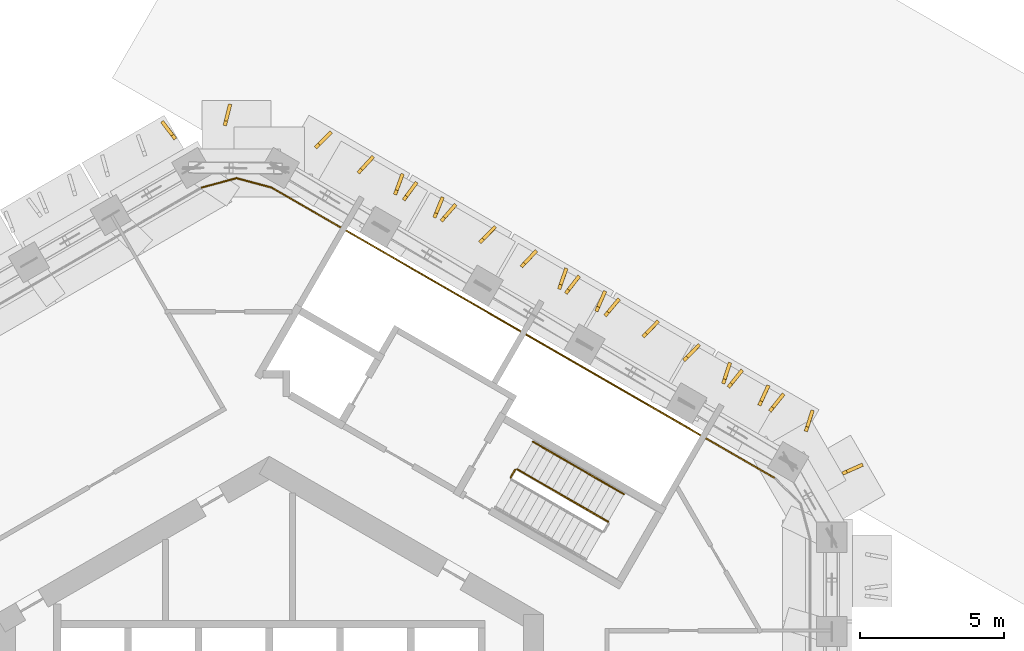
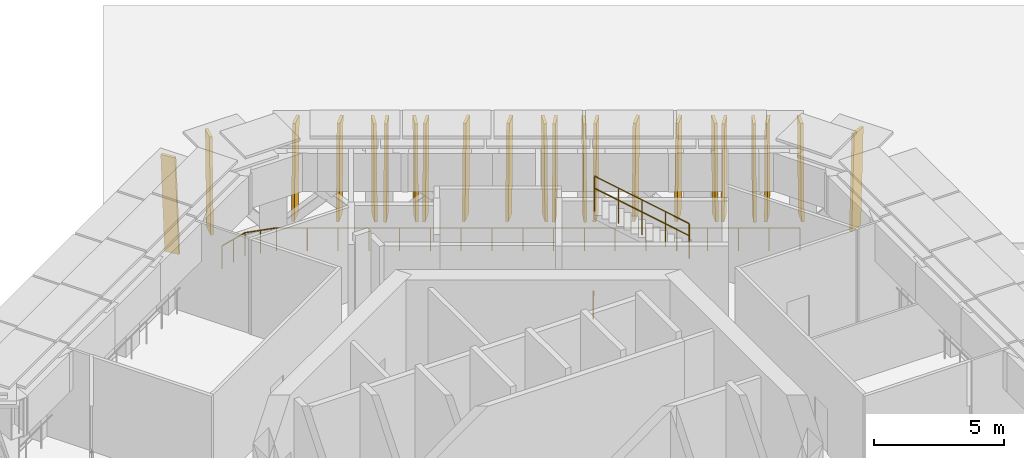
# One storey, part 18 of 18: 22 shading devices, 6 railings.
"""IFC4 building model written with IfcOpenShell, lengths in metres."""

from ifc_helpers import new_model, si_unit, direction, frame, origin, origin_2d, place, context, subcontext, project, spatial, polyline, circle, outline, extrude, material, layer, layer_set, type_object, element, save


model = new_model("IFC4")

# Units and contexts
model_context = context("Model", 3, precision=1e-05, world=origin(), true_north=direction((0.0, 1.0)))
body_context = subcontext(model_context, "Body", "Model", "MODEL_VIEW")
ifc_project = project(units=[si_unit("LENGTHUNIT", "METRE"), si_unit("AREAUNIT", "SQUARE_METRE"), si_unit("VOLUMEUNIT", "CUBIC_METRE"), si_unit("PLANEANGLEUNIT", "RADIAN"), si_unit("MASSUNIT", "GRAM", prefix="KILO")], contexts=[model_context])

# Site, building, storey
site_placement = place(None, origin())
site = spatial("IfcSite", under=ifc_project, at=site_placement, CompositionType="ELEMENT")
building_placement = place(site_placement, origin())
building = spatial("IfcBuilding", under=site, at=building_placement, Name="Ayvan Gate Tower", CompositionType="ELEMENT")
storey_placement = place(building_placement, frame((0.0, 0.0, 147.89990234375)))
storey = spatial("IfcBuildingStorey", under=building, at=storey_placement, Name="L39", CompositionType="ELEMENT", Elevation=147.89990234375)

# Shading devices
ifc_material_1 = material(Name="Bronze anodised aluminium", Category="aluminium")
ifc_layer = layer(ifc_material_1, 0.1201171875)
ifc_layer_set = layer_set([ifc_layer], Name="Bronze anodised aluminium")
shading_device_type = type_object("IfcShadingDeviceType", Name="Bronze fin 600 x 120", PredefinedType="USERDEFINED", material=ifc_layer_set)
shading_device_1_placement = place(storey_placement, frame((-3.208740234375, 22.0009765625, 0.0), z_axis=(0.797379876658, 0.603477599941, 0.000344484406), x_axis=(-0.603477635737, 0.79737992398, -4.2291e-08)))
element("IfcShadingDevice", 1, at=shading_device_1_placement, inside=storey, type_object=shading_device_type, Name="Bronze fin FG14.1.1", ObjectType="FIN", PredefinedType="USERDEFINED", context=body_context, shape_type="SweptSolid", body=[
    extrude(outline(polyline([(0.0, 0.0), (0.600054195507191, -1.3552527156068805e-20), (0.7653946742513585, 4.500000299375899), (0.1655351515771705, 4.50000024863007), (0.0, 0.0)])), origin(), (0.0, 0.0, -1.0), 0.1201171875),
])
shading_device_2_placement = place(storey_placement, frame((19.88818359375, 10.31494140625, 0.0), z_axis=(0.404060900916, -0.914732029464, 0.000320348327), x_axis=(0.914732076401, 0.404060921649, 0.0)))
element("IfcShadingDevice", 2, at=shading_device_2_placement, inside=storey, type_object=shading_device_type, Name="Bronze fin FG14.10.130", ObjectType="FIN", PredefinedType="USERDEFINED", context=body_context, shape_type="SweptSolid", body=[
    extrude(outline(polyline([(0.0, 0.0), (0.599987842516117, 1.3552527156068805e-20), (0.7653009988342911, 4.500000230901882), (0.1653131563181741, 4.500000230901882), (0.0, 0.0)])), origin(), (0.0, 0.0, -1.0), 0.1201171875),
])
shading_device_3_placement = place(storey_placement, frame((18.648681640625, 11.813232421875, 0.0), z_axis=(0.95057843614, -0.310484309407, 0.00036104942), x_axis=(0.310484329644, 0.950578498098, 0.0)))
element("IfcShadingDevice", 3, at=shading_device_3_placement, inside=storey, type_object=shading_device_type, Name="Bronze fin FG14.11.131", ObjectType="FIN", PredefinedType="USERDEFINED", context=body_context, shape_type="SweptSolid", body=[
    extrude(outline(polyline([(0.0, 0.0), (0.5999636023130857, 0.0), (0.765347516624227, 4.500000293302566), (0.16538391431114124, 4.500000293302566), (0.0, 0.0)])), origin(), (0.0, 0.0, -1.0), 0.1201171875),
])
shading_device_4_placement = place(storey_placement, frame((17.39306640625, 12.494384765625, 0.0), z_axis=(0.779377572579, -0.626554450645, 0.000346032772), x_axis=(0.626554488171, 0.779377619228, -5.4873e-08)))
element("IfcShadingDevice", 4, at=shading_device_4_placement, inside=storey, type_object=shading_device_type, Name="Bronze fin FG14.11.132", ObjectType="FIN", PredefinedType="USERDEFINED", context=body_context, shape_type="SweptSolid", body=[
    extrude(outline(polyline([(0.0, 0.0), (0.5999516729990382, 1.3552527156068805e-20), (0.7652725256731225, 4.500000311404881), (0.16547382007842298, 4.500000245570942), (0.0, 0.0)])), origin(), (0.0, 0.0, -1.0), 0.1201171875),
])
shading_device_5_placement = place(storey_placement, frame((17.0341796875, 12.704345703125, 0.0), z_axis=(0.908672618157, -0.417509228047, 0.000342794472), x_axis=(0.417509252577, 0.908672671545, 0.0)))
element("IfcShadingDevice", 5, at=shading_device_5_placement, inside=storey, type_object=shading_device_type, Name="Bronze fin FG14.11.133", ObjectType="FIN", PredefinedType="USERDEFINED", context=body_context, shape_type="SweptSolid", body=[
    extrude(outline(polyline([(0.0, 0.0), (0.599958634937457, -1.3552527156068805e-20), (0.7652930524126993, 4.500000264393135), (0.16533441747524222, 4.500000264393135), (0.0, 0.0)])), origin(), (0.0, 0.0, -1.0), 0.1201171875),
])
shading_device_6_placement = place(storey_placement, frame((15.95654296875, 13.324462890625, 0.0), z_axis=(0.777822542405, -0.628483869602, 0.000343767022), x_axis=(0.628483906764, 0.777822588344, -9.8363e-08)))
element("IfcShadingDevice", 6, at=shading_device_6_placement, inside=storey, type_object=shading_device_type, Name="Bronze fin FG14.11.134", ObjectType="FIN", PredefinedType="USERDEFINED", context=body_context, shape_type="SweptSolid", body=[
    extrude(outline(polyline([(0.0, 0.0), (0.5999576665713786, -1.3552527156068805e-20), (0.7652372618392405, 4.500000341166875), (0.16524313562880427, 4.5000002231355065), (0.0, 0.0)])), origin(), (0.0, 0.0, -1.0), 0.1201171875),
])
shading_device_7_placement = place(storey_placement, frame((15.78564453125, 13.467041015625, 0.0), z_axis=(0.951135606693, -0.308773278648, 0.000346517461), x_axis=(0.308773297186, 0.951135663796, 0.0)))
element("IfcShadingDevice", 7, at=shading_device_7_placement, inside=storey, type_object=shading_device_type, Name="Bronze fin FG14.11.135", ObjectType="FIN", PredefinedType="USERDEFINED", context=body_context, shape_type="SweptSolid", body=[
    extrude(outline(polyline([(0.0, 0.0), (0.600125516240113, 0.0), (0.7654367023097055, 4.500000270167313), (0.16531118606959244, 4.500000270167313), (0.0, 0.0)])), origin(), (0.0, 0.0, -1.0), 0.1201171875),
])
shading_device_8_placement = place(storey_placement, frame((14.411376953125, 14.245361328125, 0.0), z_axis=(0.71760756815, -0.696447605834, 0.000332357452), x_axis=(0.696447644322, 0.717607607762, -9.5621e-08)))
element("IfcShadingDevice", 8, at=shading_device_8_placement, inside=storey, type_object=shading_device_type, Name="Bronze fin FG14.11.136", ObjectType="FIN", PredefinedType="USERDEFINED", context=body_context, shape_type="SweptSolid", body=[
    extrude(outline(polyline([(0.0, 0.0), (0.5999659618076649, -1.3552527156068805e-20), (0.7653918951122346, 4.5000003217262305), (0.16542076729787064, 4.5000002069865275), (0.0, 0.0)])), origin(), (0.0, 0.0, -1.0), 0.1201171875),
])
shading_device_9_placement = place(storey_placement, frame((12.9912109375, 15.06787109375, 0.0), z_axis=(0.713386360811, -0.700770857568, 0.000324642907), x_axis=(0.700770894496, 0.713386398404, 0.0)))
element("IfcShadingDevice", 9, at=shading_device_9_placement, inside=storey, type_object=shading_device_type, Name="Bronze fin FG14.11.138", ObjectType="FIN", PredefinedType="USERDEFINED", context=body_context, shape_type="SweptSolid", body=[
    extrude(outline(polyline([(0.0, 0.0), (0.5999252531063581, 0.0), (0.7651551106346003, 4.500000237134306), (0.16522985752824215, 4.500000237134306), (0.0, 0.0)])), origin(), (0.0, 0.0, -1.0), 0.1201171875),
])
shading_device_10_placement = place(storey_placement, frame((11.68115234375, 15.796875, 0.0), z_axis=(0.767269775311, -0.641324405139, 0.000315067421), x_axis=(0.64132443698, 0.767269813385, -4.1119e-08)))
element("IfcShadingDevice", 10, at=shading_device_10_placement, inside=storey, type_object=shading_device_type, Name="Bronze fin FG14.11.140", ObjectType="FIN", PredefinedType="USERDEFINED", context=body_context, shape_type="SweptSolid", body=[
    extrude(outline(polyline([(0.0, 0.0), (0.5998610622343103, 0.0), (0.7653440046691695, 4.500000254821894), (0.16529562070307569, 4.500000205483031), (0.0, 0.0)])), origin(), (0.0, 0.0, -1.0), 0.1201171875),
])
shading_device_11_placement = place(storey_placement, frame((11.3876953125, 15.96923828125, 0.0), z_axis=(0.91663285949, -0.399730041922, 0.000307388885), x_axis=(0.399730060823, 0.916632902789, -5.7313e-08)))
element("IfcShadingDevice", 11, at=shading_device_11_placement, inside=storey, type_object=shading_device_type, Name="Bronze fin FG14.11.141", ObjectType="FIN", PredefinedType="USERDEFINED", context=body_context, shape_type="SweptSolid", body=[
    extrude(outline(polyline([(0.0, 0.0), (0.6001241649832658, 0.0), (0.7654048554528977, 4.500000256465445), (0.16537828081651235, 4.500000187681301), (0.0, 0.0)])), origin(), (0.0, 0.0, -1.0), 0.1201171875),
])
shading_device_12_placement = place(storey_placement, frame((10.320068359375, 16.573974609375, 0.0), z_axis=(0.791298385964, -0.611430097666, 0.000316289531), x_axis=(0.611430128272, 0.791298425527, -9.0277e-08)))
element("IfcShadingDevice", 12, at=shading_device_12_placement, inside=storey, type_object=shading_device_type, Name="Bronze fin FG14.11.142", ObjectType="FIN", PredefinedType="USERDEFINED", context=body_context, shape_type="SweptSolid", body=[
    extrude(outline(polyline([(0.0, 0.0), (0.5999178764689989, 0.0), (0.7652924878615142, 4.500000294176182), (0.16533069823400573, 4.5000001858547485), (0.0, 0.0)])), origin(), (0.0, 0.0, -1.0), 0.1201171875),
])
shading_device_13_placement = place(storey_placement, frame((10.10107421875, 16.740966796875, 0.0), z_axis=(0.945377255893, -0.325978123965, 0.000326706031), x_axis=(0.325978141362, 0.945377306346, 0.0)))
element("IfcShadingDevice", 13, at=shading_device_13_placement, inside=storey, type_object=shading_device_type, Name="Bronze fin FG14.11.143", ObjectType="FIN", PredefinedType="USERDEFINED", context=body_context, shape_type="SweptSolid", body=[
    extrude(outline(polyline([(0.0, 0.0), (0.5999072201838167, 0.0), (0.7651947033544753, 4.500000240157889), (0.1652874831706585, 4.500000240157889), (0.0, 0.0)])), origin(), (0.0, 0.0, -1.0), 0.1201171875),
])
shading_device_14_placement = place(storey_placement, frame((8.77587890625, 17.494384765625, 0.0), z_axis=(0.72577618316, -0.687930831305, 0.000321398567), x_axis=(0.687930866836, 0.725776220645, -2.474e-09)))
element("IfcShadingDevice", 14, at=shading_device_14_placement, inside=storey, type_object=shading_device_type, Name="Bronze fin FG14.11.144", ObjectType="FIN", PredefinedType="USERDEFINED", context=body_context, shape_type="SweptSolid", body=[
    extrude(outline(polyline([(0.0, 0.0), (0.6001161800417498, 0.0), (0.7652517545600049, 4.5000002343117265), (0.16548071785015975, 4.50000023134299), (0.0, 0.0)])), origin(), (0.0, 0.0, -1.0), 0.1201171875),
])
shading_device_15_placement = place(storey_placement, frame((7.333984375, 18.336669921875, 0.0), z_axis=(0.709036910781, -0.705171286304, 0.000340767655), x_axis=(0.705171327259, 0.709036951937, -4.8897e-08)))
element("IfcShadingDevice", 15, at=shading_device_15_placement, inside=storey, type_object=shading_device_type, Name="Bronze fin FG14.11.146", ObjectType="FIN", PredefinedType="USERDEFINED", context=body_context, shape_type="SweptSolid", body=[
    extrude(outline(polyline([(0.0, 0.0), (0.5999033887728736, 1.3552527156068805e-20), (0.7652910982978615, 4.500000298696265), (0.16521460480039374, 4.500000240020912), (0.0, 0.0)])), origin(), (0.0, 0.0, -1.0), 0.1201171875),
])
shading_device_16_placement = place(storey_placement, frame((6.0048828125, 19.079833984375, 0.0), z_axis=(0.753772683956, -0.657135160372, 0.000349178552), x_axis=(0.65713520042, 0.753772729918, 4.6675e-08)))
element("IfcShadingDevice", 16, at=shading_device_16_placement, inside=storey, type_object=shading_device_type, Name="Bronze fin FG14.11.148", ObjectType="FIN", PredefinedType="USERDEFINED", context=body_context, shape_type="SweptSolid", body=[
    extrude(outline(polyline([(0.0, 0.0), (0.6001011272503655, 0.0), (0.7652816769778079, 4.500000238612951), (0.16536457627283263, 4.500000294624263), (0.0, 0.0)])), origin(), (0.0, 0.0, -1.0), 0.1201171875),
])
shading_device_17_placement = place(storey_placement, frame((5.776123046875, 19.216552734375, 0.0), z_axis=(0.925957963007, -0.377626451185, 0.000337801664), x_axis=(0.377626472722, 0.925958015841, 2.5949e-08)))
element("IfcShadingDevice", 17, at=shading_device_17_placement, inside=storey, type_object=shading_device_type, Name="Bronze fin FG14.11.149", ObjectType="FIN", PredefinedType="USERDEFINED", context=body_context, shape_type="SweptSolid", body=[
    extrude(outline(polyline([(0.0, 0.0), (0.6000775905125291, -2.710505431213761e-20), (0.7653204343707019, 4.500000236887858), (0.16546890782688398, 4.500000268025266), (0.0, 0.0)])), origin(), (0.0, 0.0, -1.0), 0.1201171875),
])
shading_device_18_placement = place(storey_placement, frame((4.703857421875, 19.8125, 0.0), z_axis=(0.805628120561, -0.592421486635, 0.000336949893), x_axis=(0.592421520265, 0.805628166294, 0.0)))
element("IfcShadingDevice", 18, at=shading_device_18_placement, inside=storey, type_object=shading_device_type, Name="Bronze fin FG14.11.150", ObjectType="FIN", PredefinedType="USERDEFINED", context=body_context, shape_type="SweptSolid", body=[
    extrude(outline(polyline([(0.0, 0.0), (0.600026734074411, 0.0), (0.765282785178067, 4.50000025545429), (0.1652560511036561, 4.50000025545429), (0.0, 0.0)])), origin(), (0.0, 0.0, -1.0), 0.1201171875),
])
shading_device_19_placement = place(storey_placement, frame((4.4140625, 20.015625, 0.0), z_axis=(0.938599815148, -0.345007647701, 0.000331712314), x_axis=(0.345007666682, 0.938599866786, 0.0)))
element("IfcShadingDevice", 19, at=shading_device_19_placement, inside=storey, type_object=shading_device_type, Name="Bronze fin FG14.11.151", ObjectType="FIN", PredefinedType="USERDEFINED", context=body_context, shape_type="SweptSolid", body=[
    extrude(outline(polyline([(0.0, 0.0), (0.6000772446341724, 0.0), (0.7654797014244429, 4.500000247574404), (0.16540245679027038, 4.500000247574404), (0.0, 0.0)])), origin(), (0.0, 0.0, -1.0), 0.1201171875),
])
shading_device_20_placement = place(storey_placement, frame((3.128173828125, 20.75, 0.0), z_axis=(0.735208844646, -0.67784058394, 0.00031228021), x_axis=(0.677840616991, 0.735208880494, 0.0)))
element("IfcShadingDevice", 20, at=shading_device_20_placement, inside=storey, type_object=shading_device_type, Name="Bronze fin FG14.11.152", ObjectType="FIN", PredefinedType="USERDEFINED", context=body_context, shape_type="SweptSolid", body=[
    extrude(outline(polyline([(0.0, 0.0), (0.6000500280663301, 0.0), (0.7654534310787566, 4.500000219417608), (0.1654034030124265, 4.500000219417608), (0.0, 0.0)])), origin(), (0.0, 0.0, -1.0), 0.1201171875),
])
shading_device_21_placement = place(storey_placement, frame((1.64501953125, 21.622314453125, 0.0), z_axis=(0.707310196247, -0.706903228355, 0.000334701946), x_axis=(0.706903267951, 0.707310235866, 0.0)))
element("IfcShadingDevice", 21, at=shading_device_21_placement, inside=storey, type_object=shading_device_type, Name="Bronze fin FG14.11.154", ObjectType="FIN", PredefinedType="USERDEFINED", context=body_context, shape_type="SweptSolid", body=[
    extrude(outline(polyline([(0.0, 0.0), (0.5999014078040121, 0.0), (0.7651120994377625, 4.500000252057156), (0.16521069163375032, 4.500000252057156), (0.0, 0.0)])), origin(), (0.0, 0.0, -1.0), 0.1201171875),
])
shading_device_22_placement = place(storey_placement, frame((-1.483154296875, 22.414306640625, 0.0), z_axis=(0.969516753472, -0.245024805034, 0.000331143726), x_axis=(0.245024818468, 0.969516806628, 0.0)))
element("IfcShadingDevice", 22, at=shading_device_22_placement, inside=storey, type_object=shading_device_type, Name="Bronze fin FG14.12.156", ObjectType="FIN", PredefinedType="USERDEFINED", context=body_context, shape_type="SweptSolid", body=[
    extrude(outline(polyline([(0.0, 0.0), (0.5998276303970534, 0.0), (0.7651464853082591, 4.500000246726397), (0.16531885491120565, 4.500000246726397), (0.0, 0.0)])), origin(), (0.0, 0.0, -1.0), 0.1201171875),
])

# Railings
ifc_material_2 = material(Name="Stainless steel balustrade", Category="steel")
railing_type_1 = type_object("IfcRailingType", Name="RL-GUARD-1100", PredefinedType="GUARDRAIL", material=ifc_material_2)
railing_1_placement = place(storey_placement, frame((11.738525390625, 8.70166015625, 2.571533203125)))
element("IfcRailing", 23, at=railing_1_placement, inside=storey, type_object=railing_type_1, Name="L39 STS1 stair guard 3", PredefinedType="GUARDRAIL", context=body_context, shape_type="SweptSolid", body=[
    extrude(circle(Radius=0.02392578125, at=origin_2d()), frame((0.0, 0.0, 1.076171875), z_axis=(-0.738610110021, 0.426394033464, 0.52215250033), x_axis=(-0.499962438169, -0.866047089031, 0.0)), (0.0, 0.0, 1.0), 4.267822265625),
    extrude(circle(Radius=0.02099609375, at=origin_2d()), origin(), (0.0, 0.0, 1.0), 1.052001953125),
    extrude(circle(Radius=0.02099609375, at=origin_2d()), frame((-0.7880859375, 0.455078125, 0.55712890625)), (0.0, 0.0, 1.0), 1.052001953125),
    extrude(circle(Radius=0.02099609375, at=origin_2d()), frame((-1.576171875, 0.909912109375, 1.1142578125)), (0.0, 0.0, 1.0), 1.052001953125),
    extrude(circle(Radius=0.02099609375, at=origin_2d()), frame((-2.3642578125, 1.36474609375, 1.67138671875)), (0.0, 0.0, 1.0), 1.052001953125),
    extrude(circle(Radius=0.02099609375, at=origin_2d()), frame((-3.15234375, 1.81982421875, 2.228515625)), (0.0, 0.0, 1.0), 1.052001953125),
])
railing_2_placement = place(storey_placement, frame((8.36279296875, 10.23486328125, 0.0)))
element("IfcRailing", 24, at=railing_2_placement, inside=storey, type_object=railing_type_1, Name="L39 STS1 stair guard 4", PredefinedType="GUARDRAIL", context=body_context, shape_type="SweptSolid", body=[
    extrude(circle(Radius=0.02392578125, at=origin_2d()), frame((0.0, 0.0, 1.076171875), z_axis=(0.500290723946, 0.86585748916, 0.0), x_axis=(-0.86585748916, 0.500290723946, 0.0)), (0.0, 0.0, 1.0), 0.309814453125),
    extrude(circle(Radius=0.02099609375, at=origin_2d()), origin(), (0.0, 0.0, 1.0), 1.052001953125),
    extrude(circle(Radius=0.02099609375, at=origin_2d()), frame((0.155029296875, 0.268310546875, 0.0)), (0.0, 0.0, 1.0), 1.052001953125),
])
railing_type_2 = type_object("IfcRailingType", Name="RL-HANDRAIL-900", PredefinedType="HANDRAIL", material=ifc_material_2)
for number, where, name in (
    (25, (12.288330078125, 9.654296875, 2.571533203125), "L39 STS1 stair handrail 3"),
    (26, (10.712158203125, 10.564208984375, 3.685791015625), "L39 STS1 stair handrail 4"),
):
    element("IfcRailing", number, at=place(storey_placement, frame(where)), inside=storey, type_object=railing_type_2, Name=name, PredefinedType="HANDRAIL", context=body_context, shape_type="SweptSolid", body=[
        extrude(circle(Radius=0.02392578125, at=origin_2d()), frame((0.0, 0.0, 0.8759765625), z_axis=(-0.738610110021, 0.426394033464, 0.52215250033), x_axis=(-0.499962438169, -0.866047089031, 0.0)), (0.0, 0.0, 1.0), 2.134033203125),
        extrude(circle(Radius=0.02099609375, at=origin_2d()), origin(), (0.0, 0.0, 1.0), 0.851806640625),
        extrude(circle(Radius=0.02099609375, at=origin_2d()), frame((-0.7880859375, 0.455078125, 0.55712890625)), (0.0, 0.0, 1.0), 0.851806640625),
        extrude(circle(Radius=0.02099609375, at=origin_2d()), frame((-1.576171875, 0.909912109375, 1.1142578125)), (0.0, 0.0, 1.0), 0.851806640625),
    ])
ifc_material_3 = material(Name="Stainless steel 316 and laminated glass", Category="steel")
railing_type_3 = type_object("IfcRailingType", Name="Refuge band guard 1100", PredefinedType="GUARDRAIL", material=ifc_material_3)
railing_3_placement = place(storey_placement, frame((17.525146484375, 10.209716796875, 0.0)))
element("IfcRailing", 27, at=railing_3_placement, inside=storey, type_object=railing_type_3, Name="Refuge band guard L39.11", PredefinedType="GUARDRAIL", context=body_context, shape_type="SweptSolid", body=[
    extrude(circle(Radius=0.02490234375, at=origin_2d()), frame((0.0, 0.0, 1.0751953125), z_axis=(-0.866026954707, 0.499997313714, 0.0), x_axis=(-0.499997313714, -0.866026954707, 0.0)), (0.0, 0.0, 1.0), 20.14453125),
    extrude(circle(Radius=0.02001953125, at=origin_2d()), origin(), (0.0, 0.0, 1.0), 1.050048828125),
    extrude(circle(Radius=0.02001953125, at=origin_2d()), frame((-1.026123046875, 0.592529296875, 0.0)), (0.0, 0.0, 1.0), 1.050048828125),
    extrude(circle(Radius=0.02001953125, at=origin_2d()), frame((-2.052490234375, 1.18505859375, 0.0)), (0.0, 0.0, 1.0), 1.050048828125),
    extrude(circle(Radius=0.02001953125, at=origin_2d()), frame((-3.07861328125, 1.77734375, 0.0)), (0.0, 0.0, 1.0), 1.050048828125),
    extrude(circle(Radius=0.02001953125, at=origin_2d()), frame((-4.10498046875, 2.369873046875, 0.0)), (0.0, 0.0, 1.0), 1.050048828125),
    extrude(circle(Radius=0.02001953125, at=origin_2d()), frame((-5.131103515625, 2.96240234375, 0.0)), (0.0, 0.0, 1.0), 1.050048828125),
    extrude(circle(Radius=0.02001953125, at=origin_2d()), frame((-6.1572265625, 3.554931640625, 0.0)), (0.0, 0.0, 1.0), 1.050048828125),
    extrude(circle(Radius=0.02001953125, at=origin_2d()), frame((-7.18359375, 4.1474609375, 0.0)), (0.0, 0.0, 1.0), 1.050048828125),
    extrude(circle(Radius=0.02001953125, at=origin_2d()), frame((-8.209716796875, 4.739990234375, 0.0)), (0.0, 0.0, 1.0), 1.050048828125),
    extrude(circle(Radius=0.02001953125, at=origin_2d()), frame((-9.236083984375, 5.332275390625, 0.0)), (0.0, 0.0, 1.0), 1.050048828125),
    extrude(circle(Radius=0.02001953125, at=origin_2d()), frame((-10.26220703125, 5.9248046875, 0.0)), (0.0, 0.0, 1.0), 1.050048828125),
    extrude(circle(Radius=0.02001953125, at=origin_2d()), frame((-11.28857421875, 6.517333984375, 0.0)), (0.0, 0.0, 1.0), 1.050048828125),
    extrude(circle(Radius=0.02001953125, at=origin_2d()), frame((-12.314697265625, 7.10986328125, 0.0)), (0.0, 0.0, 1.0), 1.050048828125),
    extrude(circle(Radius=0.02001953125, at=origin_2d()), frame((-13.3408203125, 7.702392578125, 0.0)), (0.0, 0.0, 1.0), 1.050048828125),
    extrude(circle(Radius=0.02001953125, at=origin_2d()), frame((-14.3671875, 8.294921875, 0.0)), (0.0, 0.0, 1.0), 1.050048828125),
    extrude(circle(Radius=0.02001953125, at=origin_2d()), frame((-15.393310546875, 8.88720703125, 0.0)), (0.0, 0.0, 1.0), 1.050048828125),
    extrude(circle(Radius=0.02001953125, at=origin_2d()), frame((-16.419677734375, 9.479736328125, 0.0)), (0.0, 0.0, 1.0), 1.050048828125),
    extrude(circle(Radius=0.02001953125, at=origin_2d()), frame((-17.44580078125, 10.072265625, 0.0)), (0.0, 0.0, 1.0), 1.050048828125),
])
railing_4_placement = place(storey_placement, frame((0.079345703125, 20.281982421875, 0.0)))
element("IfcRailing", 28, at=railing_4_placement, inside=storey, type_object=railing_type_3, Name="Refuge band guard L39.12", PredefinedType="GUARDRAIL", context=body_context, shape_type="SweptSolid", body=[
    extrude(circle(Radius=0.02490234375, at=origin_2d()), frame((0.0, 0.0, 1.0751953125), z_axis=(-0.965901084838, 0.258911363806, 0.0), x_axis=(-0.258911363806, -0.965901084838, 0.0)), (0.0, 0.0, 1.0), 1.253173828125),
    extrude(circle(Radius=0.02490234375, at=origin_2d()), frame((-1.21044921875, 0.324462890625, 1.0751953125), z_axis=(-0.965901084838, -0.258911363806, 0.0), x_axis=(0.258911363806, -0.965901084838, 0.0)), (0.0, 0.0, 1.0), 1.253173828125),
    extrude(circle(Radius=0.02001953125, at=origin_2d()), origin(), (0.0, 0.0, 1.0), 1.050048828125),
    extrude(circle(Radius=0.02001953125, at=origin_2d()), frame((-0.605224609375, 0.162109375, 0.0)), (0.0, 0.0, 1.0), 1.050048828125),
    extrude(circle(Radius=0.02001953125, at=origin_2d()), frame((-1.21044921875, 0.324462890625, 0.0)), (0.0, 0.0, 1.0), 1.050048828125),
    extrude(circle(Radius=0.02001953125, at=origin_2d()), frame((-1.815673828125, 0.162109375, 0.0)), (0.0, 0.0, 1.0), 1.050048828125),
    extrude(circle(Radius=0.02001953125, at=origin_2d()), frame((-2.4208984375, 0.0, 0.0)), (0.0, 0.0, 1.0), 1.050048828125),
])

save(model, "model.ifc")
